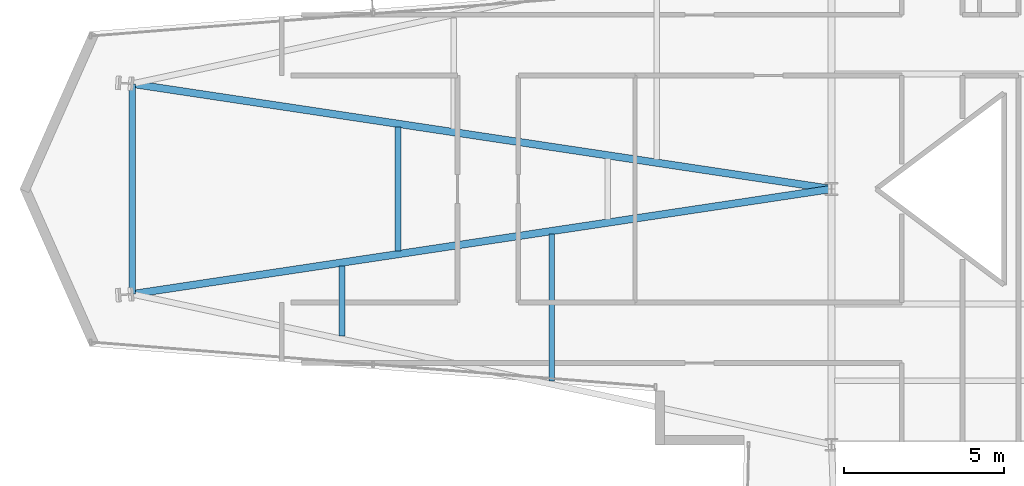
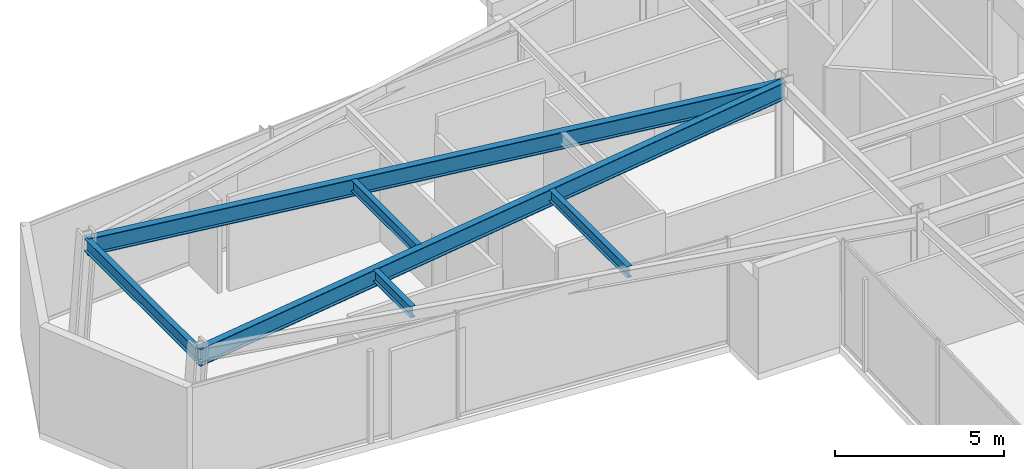
# One storey, part 6 of 25: 6 beams.
"""IFC4 building model written with IfcOpenShell, lengths in metres."""

import ifcopenshell
import ifcopenshell.guid

model = None  # the IFC model being written
_history = None  # IfcOwnerHistory: only IFC2X3 demands one
_inside = {}  # id of a spatial element -> (the spatial element, [elements in it])
_under = {}  # id of a project, library or spatial element -> (it, [spatial elements below it])
_declared = {}  # id of a project -> (the project, [libraries it declares])
_typed = {}  # id of a type object -> (the type object, [elements of that type])
_made_of = {}  # id of a material, layer set ... -> (it, [elements and type objects made of it])


def new_model(schema):
    """Start an empty IFC model of exactly this schema.

    Asked for "IFC4X3", IfcOpenShell would pick the latest addendum, in which some entities
    have other attributes; the version numbers below select the first issue.
    IFC2X3 requires an IfcOwnerHistory on every rooted entity: one is made here for all.
    """
    global model, _history
    if schema == "IFC4X3":
        model = ifcopenshell.file(schema_version=(4, 3, 0, 0))
    else:
        model = ifcopenshell.file(schema=schema)
    _inside.clear()
    _under.clear()
    _declared.clear()
    _typed.clear()
    _made_of.clear()
    _history = None
    if model.schema == "IFC2X3":
        org = make("IfcOrganization", Name="unknown")
        user = make(
            "IfcPersonAndOrganization",
            ThePerson=make("IfcPerson", FamilyName="unknown"),
            TheOrganization=org,
        )
        app = make(
            "IfcApplication",
            ApplicationDeveloper=org,
            Version="unknown",
            ApplicationFullName="unknown",
            ApplicationIdentifier="unknown",
        )
        _history = make(
            "IfcOwnerHistory",
            OwningUser=user,
            OwningApplication=app,
            ChangeAction="ADDED",
            CreationDate=0,
        )
    return model


def make(cls, **values):
    """One entity of the class cls with the attributes given. An attribute that is None is left unset."""
    return model.create_entity(
        cls, **{name: value for name, value in values.items() if value is not None}
    )


def rooted(cls, **values):
    """An entity with a GlobalId (a new one), such as an element, a storey or a relation."""
    return make(cls, GlobalId=ifcopenshell.guid.new(), OwnerHistory=_history, **values)


def si_unit(unit_type, name, prefix=None):
    """IfcSIUnit, for example si_unit("LENGTHUNIT", "METRE", prefix="MILLI")."""
    return make("IfcSIUnit", UnitType=unit_type, Prefix=prefix, Name=name)


def assignment(units):
    """IfcUnitAssignment: the units of a project."""
    return None if units is None else make("IfcUnitAssignment", Units=units)


def point(xyz):
    """IfcCartesianPoint."""
    return None if xyz is None else make("IfcCartesianPoint", Coordinates=xyz)


def direction(xyz):
    """IfcDirection."""
    return None if xyz is None else make("IfcDirection", DirectionRatios=xyz)


def frame(location, z_axis=None, x_axis=None):
    """IfcAxis2Placement3D, a coordinate frame: its origin and axes. An axis left out is left unset."""
    return make(
        "IfcAxis2Placement3D",
        Location=point(location),
        Axis=direction(z_axis),
        RefDirection=direction(x_axis),
    )


def frame_2d(location, x_axis=None):
    """IfcAxis2Placement2D, a coordinate frame in the plane: its origin and x axis."""
    return make(
        "IfcAxis2Placement2D", Location=point(location), RefDirection=direction(x_axis)
    )


def origin():
    """The frame at (0, 0, 0) with its axes left unset."""
    return frame((0.0, 0.0, 0.0))


def origin_2d():
    """The frame at (0, 0) in the plane with its x axis left unset."""
    return frame_2d((0.0, 0.0))


def place(relative_to, where):
    """IfcLocalPlacement: puts the frame where relative to a parent placement (None: the world)."""
    return make(
        "IfcLocalPlacement", PlacementRelTo=relative_to, RelativePlacement=where
    )


def context(
    kind, dimensions, precision=None, world=None, true_north=None, identifier=None
):
    """IfcGeometricRepresentationContext, for example the 3D "Model" context."""
    return make(
        "IfcGeometricRepresentationContext",
        ContextIdentifier=identifier,
        ContextType=kind,
        CoordinateSpaceDimension=dimensions,
        Precision=precision,
        WorldCoordinateSystem=world,
        TrueNorth=true_north,
    )


def subcontext(parent, identifier, kind, view, scale=None):
    """IfcGeometricRepresentationSubContext, for example "Body" below "Model"."""
    return make(
        "IfcGeometricRepresentationSubContext",
        ContextIdentifier=identifier,
        ContextType=kind,
        ParentContext=parent,
        TargetScale=scale,
        TargetView=view,
    )


def project(units=None, contexts=None):
    """IfcProject with its units and contexts."""
    return rooted(
        "IfcProject",
        Name="project",
        RepresentationContexts=contexts,
        UnitsInContext=assignment(units),
    )


def spatial(cls, under=None, at=None, **own):
    """A site, building, storey or space (cls), placed at a placement, below another one or the project."""
    s = rooted(cls, ObjectPlacement=at, **own)
    if under is not None:
        _under.setdefault(under.id(), (under, []))[1].append(s)
    return s


def profile(cls, at=None, kind="AREA", **sizes):
    """A parametric profile (cls). Its sizes go by their IFC names, for example OverallWidth=200.0."""
    return make(cls, ProfileType=kind, Position=at, **sizes)


def i_section(**sizes):
    """IfcIShapeProfileDef."""
    return profile("IfcIShapeProfileDef", **sizes)


def extrude(swept, where, along, depth):
    """IfcExtrudedAreaSolid: the profile swept, set in the frame where, extruded along a direction by depth."""
    return make(
        "IfcExtrudedAreaSolid",
        SweptArea=swept,
        Position=where,
        ExtrudedDirection=direction(along),
        Depth=depth,
    )


def shape(context_of_items, identifier, shape_type, items):
    """IfcShapeRepresentation: the items that make up one representation, for example the "Body"."""
    return make(
        "IfcShapeRepresentation",
        ContextOfItems=context_of_items,
        RepresentationIdentifier=identifier,
        RepresentationType=shape_type,
        Items=items,
    )


def material(Name=None, Category=None):
    """IfcMaterial."""
    return make("IfcMaterial", Name=Name, Category=Category)


def material_profile(
    of_material, cross_section, Name=None, Category=None, Priority=None
):
    """IfcMaterialProfile: a cross section and its material."""
    return make(
        "IfcMaterialProfile",
        Name=Name,
        Material=of_material,
        Profile=cross_section,
        Priority=Priority,
        Category=Category,
    )


def profile_set(profiles, Name=None, composite=None):
    """IfcMaterialProfileSet."""
    return make(
        "IfcMaterialProfileSet",
        Name=Name,
        MaterialProfiles=profiles,
        CompositeProfile=composite,
    )


def made_of(thing, what):
    """Note that an element or type object is made of a material, layer set ...; save() writes the relation."""
    if what is not None:
        _made_of.setdefault(what.id(), (what, []))[1].append(thing)
    return thing


def type_object(cls, material=None, **own):
    """A type object (cls), such as IfcWallType, which elements share."""
    return made_of(rooted(cls, **own), material)


def element(
    cls,
    number,
    at=None,
    inside=None,
    cuts=None,
    type_object=None,
    material=None,
    context=None,
    identifier="Body",
    shape_type=None,
    held_by="IfcProductDefinitionShape",
    body=None,
    shapes=None,
    **own,
):
    """One element of the class cls, such as IfcWall. Its Tag is "e" and its number.

    at: its placement. inside: the storey or other place that contains it. cuts: it is an
    opening in that element (IfcRelVoidsElement). A single representation is given by context,
    identifier, shape_type and body (its items); several are given by shapes. held_by: the class
    of the entity that holds the representations. save() writes the other relations.
    """
    e = rooted(cls, Tag="e%d" % number, ObjectPlacement=at, **own)
    if body is not None:
        shapes = [shape(context, identifier, shape_type, body)]
    if shapes is not None:
        e.Representation = make(held_by, Representations=shapes)
    if inside is not None:
        _inside.setdefault(inside.id(), (inside, []))[1].append(e)
    if cuts is not None:
        rooted(
            "IfcRelVoidsElement", RelatingBuildingElement=cuts, RelatedOpeningElement=e
        )
    if type_object is not None:
        _typed.setdefault(type_object.id(), (type_object, []))[1].append(e)
    return made_of(e, material)


def aggregate(whole, parts):
    """IfcRelAggregates: a whole, such as a stair, and the parts it consists of."""
    return rooted("IfcRelAggregates", RelatingObject=whole, RelatedObjects=parts)


def save(model, path):
    """Write the relations noted so far, then the file.

    IfcRelAggregates (storeys below a building ...), IfcRelContainedInSpatialStructure (elements
    in a storey), IfcRelDefinesByType, IfcRelAssociatesMaterial and IfcRelDeclares: one each for
    every whole, place, type object, material and project.
    """
    for whole, parts in _under.values():
        aggregate(whole, parts)
    for where, things in _inside.values():
        rooted(
            "IfcRelContainedInSpatialStructure",
            RelatedElements=things,
            RelatingStructure=where,
        )
    for kind, things in _typed.values():
        rooted("IfcRelDefinesByType", RelatedObjects=things, RelatingType=kind)
    for what, things in _made_of.values():
        rooted("IfcRelAssociatesMaterial", RelatedObjects=things, RelatingMaterial=what)
    for by, libraries in _declared.values():
        rooted("IfcRelDeclares", RelatingContext=by, RelatedDefinitions=libraries)
    model.write(path)


model = new_model("IFC4")

# Units and contexts
model_context = context("Model", 3, precision=1e-05, world=origin(), true_north=direction((0.0, 1.0)))
body_context = subcontext(model_context, "Body", "Model", "MODEL_VIEW")
ifc_project = project(units=[si_unit("LENGTHUNIT", "METRE"), si_unit("AREAUNIT", "SQUARE_METRE"), si_unit("VOLUMEUNIT", "CUBIC_METRE"), si_unit("PLANEANGLEUNIT", "RADIAN"), si_unit("MASSUNIT", "GRAM", prefix="KILO")], contexts=[model_context])

# Site, building, storey
site_placement = place(None, origin())
site = spatial("IfcSite", under=ifc_project, at=site_placement, CompositionType="ELEMENT")
building_placement = place(site_placement, origin())
building = spatial("IfcBuilding", under=site, at=building_placement, Name="Veymaron Broadcast Tower", CompositionType="ELEMENT")
storey_placement = place(building_placement, frame((0.0, 0.0, 82.35009765625)))
storey = spatial("IfcBuildingStorey", under=building, at=storey_placement, Name="L18", CompositionType="ELEMENT", Elevation=82.35009765625)

# Beams
ifc_material = material(Name="Structural steel ASTM A992 Gr 50", Category="steel")
ifc_material_profile_1 = material_profile(ifc_material, i_section(OverallWidth=0.22998046875, OverallDepth=0.616943359375, WebThickness=0.01318359375, FlangeThickness=0.022216796875, at=origin_2d()), Name="W610X140")
ifc_profile_set_1 = profile_set([ifc_material_profile_1], Name="Structural steel ASTM A992 Gr 50")
beam_type_1 = type_object("IfcBeamType", Name="BM-FG1", PredefinedType="BEAM", material=ifc_profile_set_1)
for number, where, z_axis, x_axis, name in (
    (1, (9.318115234375, 20.7099609375, 3.50146484375), (0.988884822995, 0.148683579626, 0.0), (-0.148683579626, 0.988884822995, 0.0), "L18 primary structural floor girder"),
    (2, (9.318115234375, 27.2900390625, 3.50146484375), (0.988884822995, -0.148683579626, 0.0), (0.148683579626, 0.988884822995, 0.0), "L18 primary structural floor girder"),
):
    element("IfcBeam", number, at=place(storey_placement, frame(where, z_axis=z_axis, x_axis=x_axis)), inside=storey, type_object=beam_type_1, Name=name, PredefinedType="BEAM", context=body_context, shape_type="SweptSolid", body=[
        extrude(i_section(OverallWidth=0.22998046875, OverallDepth=0.616943359375, WebThickness=0.01318359375, FlangeThickness=0.022216796875, at=origin_2d()), origin(), (0.0, 0.0, 1.0), 22.127685546875),
    ])
ifc_material_profile_2 = material_profile(ifc_material, i_section(OverallWidth=0.177978515625, OverallDepth=0.406982421875, WebThickness=0.0078125, FlangeThickness=0.0126953125, at=origin_2d()), Name="W410X60")
ifc_profile_set_2 = profile_set([ifc_material_profile_2], Name="Structural steel ASTM A992 Gr 50")
beam_type_2 = type_object("IfcBeamType", Name="BM-JS1", PredefinedType="JOIST", material=ifc_profile_set_2)
beam_1_placement = place(storey_placement, frame((15.882568359375, 19.39697265625, 3.6064453125), z_axis=(0.0, 1.0, 0.0), x_axis=(-1.0, 0.0, 0.0)))
element("IfcBeam", 3, at=beam_1_placement, inside=storey, type_object=beam_type_2, Name="L18 Arm-A secondary joist 1S", PredefinedType="JOIST", context=body_context, shape_type="SweptSolid", body=[
    extrude(i_section(OverallWidth=0.177978515625, OverallDepth=0.406982421875, WebThickness=0.0078125, FlangeThickness=0.0126953125, at=origin_2d()), origin(), (0.0, 0.0, 1.0), 2.199951171875),
])
beam_2_placement = place(storey_placement, frame((17.63330078125, 22.060302734375, 3.6064453125), z_axis=(0.0, 1.0, 0.0), x_axis=(-1.0, 0.0, 0.0)))
element("IfcBeam", 4, at=beam_2_placement, inside=storey, type_object=beam_type_2, Name="L18 Arm-A secondary joist 1M", PredefinedType="JOIST", context=body_context, shape_type="SweptSolid", body=[
    extrude(i_section(OverallWidth=0.177978515625, OverallDepth=0.406982421875, WebThickness=0.0078125, FlangeThickness=0.0126953125, at=origin_2d()), origin(), (0.0, 0.0, 1.0), 3.87939453125),
])
beam_3_placement = place(storey_placement, frame((22.447265625, 17.98388671875, 3.6064453125), z_axis=(0.0, 1.0, 0.0), x_axis=(-1.0, 0.0, 0.0)))
element("IfcBeam", 5, at=beam_3_placement, inside=storey, type_object=beam_type_2, Name="L18 Arm-A secondary joist 2S", PredefinedType="JOIST", context=body_context, shape_type="SweptSolid", body=[
    extrude(i_section(OverallWidth=0.177978515625, OverallDepth=0.406982421875, WebThickness=0.0078125, FlangeThickness=0.0126953125, at=origin_2d()), origin(), (0.0, 0.0, 1.0), 4.60009765625),
])
ifc_material_profile_3 = material_profile(ifc_material, i_section(OverallWidth=0.19091796875, OverallDepth=0.4599609375, WebThickness=0.010009765625, FlangeThickness=0.01611328125, at=origin_2d()), Name="W460X82")
ifc_profile_set_3 = profile_set([ifc_material_profile_3], Name="Structural steel ASTM A992 Gr 50")
beam_type_3 = type_object("IfcBeamType", Name="BM-SP1", PredefinedType="SPANDREL", material=ifc_profile_set_3)
beam_4_placement = place(storey_placement, frame((9.318115234375, 20.7099609375, 3.579833984375), z_axis=(0.0, 1.0, 0.0), x_axis=(-1.0, 0.0, 0.0)))
element("IfcBeam", 6, at=beam_4_placement, inside=storey, type_object=beam_type_3, Name="L18 primary structural floor girder", PredefinedType="SPANDREL", context=body_context, shape_type="SweptSolid", body=[
    extrude(i_section(OverallWidth=0.19091796875, OverallDepth=0.4599609375, WebThickness=0.010009765625, FlangeThickness=0.01611328125, at=origin_2d()), origin(), (0.0, 0.0, 1.0), 6.580078125),
])

save(model, "model.ifc")
